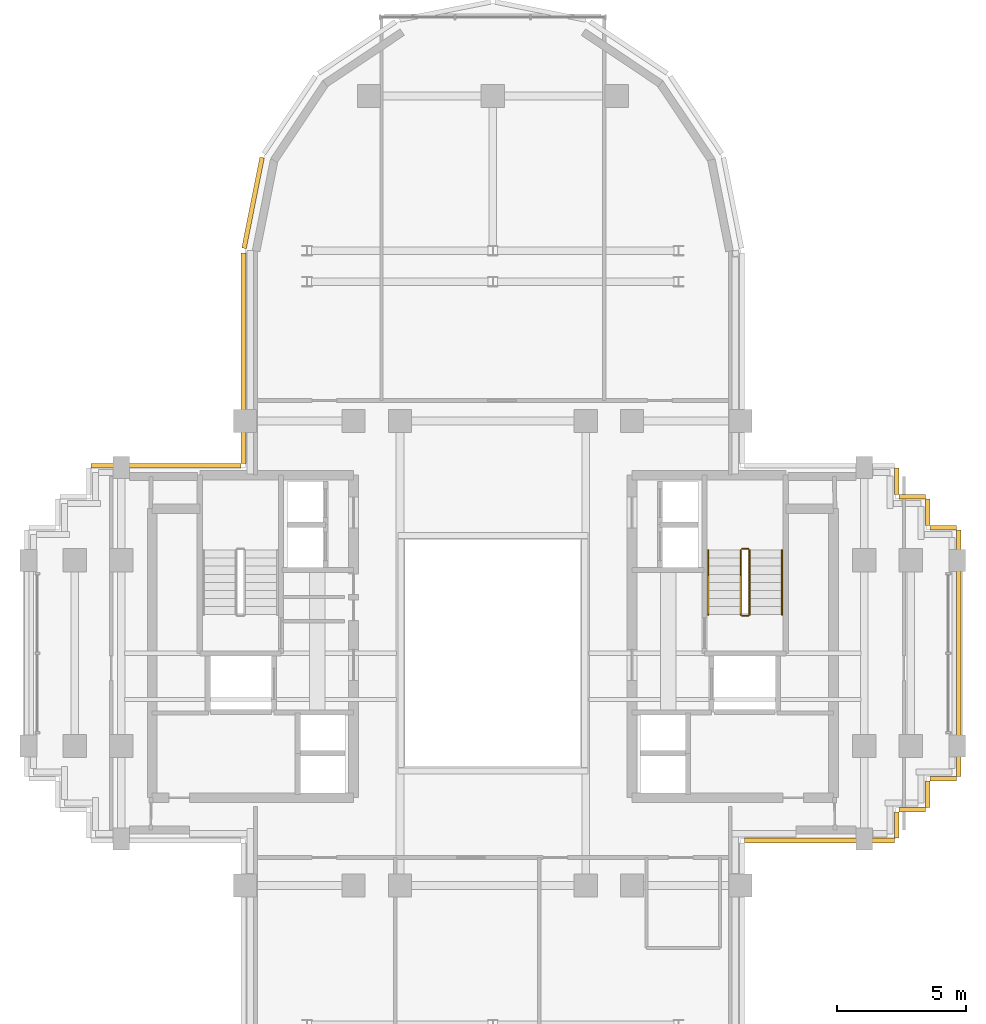
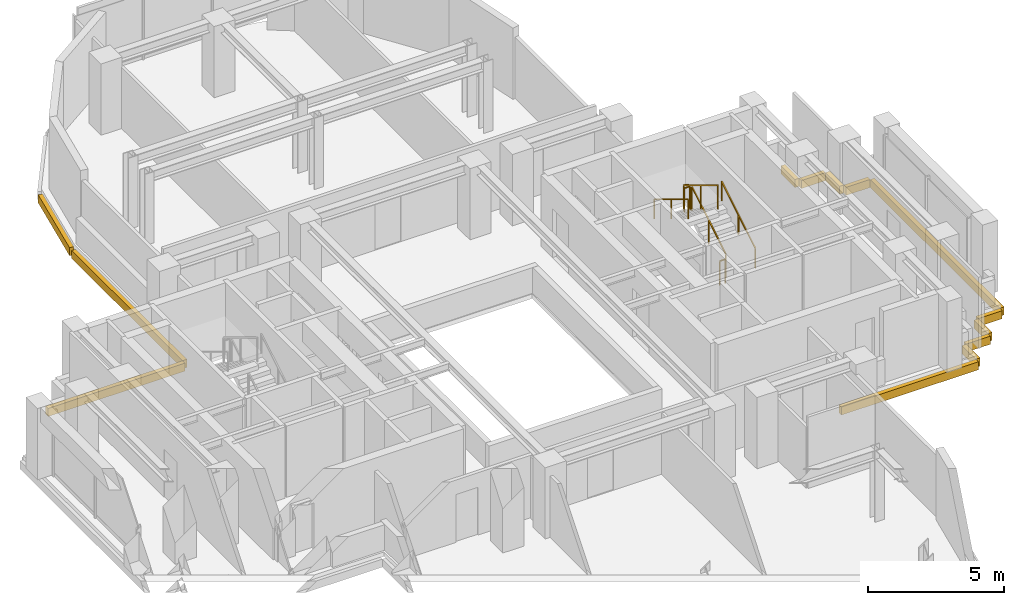
# One storey, part 10 of 11: 13 coverings, 6 railings.
"""IFC4 building model written with IfcOpenShell, lengths in metres."""

from ifc_helpers import new_model, si_unit, direction, frame, origin, origin_2d, place, context, subcontext, project, spatial, rectangle, extrude, source, transform, mapped, material, layer, layer_set, type_object, element, save


model = new_model("IFC4")

# Units and contexts
model_context = context("Model", 3, precision=1e-05, world=origin(), true_north=direction((0.0, 1.0)))
body_context = subcontext(model_context, "Body", "Model", "MODEL_VIEW")
ifc_project = project(units=[si_unit("LENGTHUNIT", "METRE"), si_unit("AREAUNIT", "SQUARE_METRE"), si_unit("VOLUMEUNIT", "CUBIC_METRE"), si_unit("PLANEANGLEUNIT", "RADIAN"), si_unit("MASSUNIT", "GRAM", prefix="KILO")], contexts=[model_context])

# Site, building, storey
site_placement = place(None, origin())
site = spatial("IfcSite", under=ifc_project, at=site_placement, CompositionType="ELEMENT")
building_placement = place(site_placement, origin())
building = spatial("IfcBuilding", under=site, at=building_placement, Name="Keilestroom Media Tower", CompositionType="ELEMENT")
storey_placement = place(building_placement, frame((0.0, 0.0, 180.800048828125)))
storey = spatial("IfcBuildingStorey", under=building, at=storey_placement, Name="L49", CompositionType="ELEMENT", Elevation=180.800048828125)

# Railings
ifc_material_1 = material(Name="Brushed Stainless Steel 1.4301", Category="steel")
railing_type_1 = type_object("IfcRailingType", Name="Stair-Pitch-Handrail-920", PredefinedType="HANDRAIL", material=ifc_material_1)
railing_1_placement = place(storey_placement, frame((11.2099609375, 1.5, 0.188720703125)))
element("IfcRailing", 1, at=railing_1_placement, inside=storey, type_object=railing_type_1, Name="L49 ST-2 stair handrail 1", PredefinedType="HANDRAIL", context=body_context, shape_type="SweptSolid", body=[
    extrude(rectangle(XDim=0.048095703125, YDim=0.048095703125, at=origin_2d()), frame((0.0, 0.0, 0.8759765625), z_axis=(0.0, 0.855433747314, 0.517912255074), x_axis=(-1.0, 0.0, 0.0)), (0.0, 0.0, 1.0), 2.91796875),
    extrude(rectangle(XDim=0.0419921875, YDim=0.0419921875, at=origin_2d()), origin(), (0.0, 0.0, 1.0), 0.84375),
    extrude(rectangle(XDim=0.0419921875, YDim=0.0419921875, at=origin_2d()), frame((0.0, 1.248046875, 0.755615234375)), (0.0, 0.0, 1.0), 0.84375),
    extrude(rectangle(XDim=0.0419921875, YDim=0.0419921875, at=origin_2d()), frame((0.0, 2.49609375, 1.51123046875)), (0.0, 0.0, 1.0), 0.84375),
])
railing_2_placement = place(storey_placement, frame((8.35009765625, 3.99609375, 1.888916015625)))
element("IfcRailing", 2, at=railing_2_placement, inside=storey, type_object=railing_type_1, Name="L49 ST-2 stair handrail 2", PredefinedType="HANDRAIL", context=body_context, shape_type="SweptSolid", body=[
    extrude(rectangle(XDim=0.048095703125, YDim=0.048095703125, at=origin_2d()), frame((0.0, 0.0, 0.8759765625), z_axis=(0.0, -0.855470815493, 0.517851024754), x_axis=(1.0, 0.0, 0.0)), (0.0, 0.0, 1.0), 2.917724609375),
    extrude(rectangle(XDim=0.0419921875, YDim=0.0419921875, at=origin_2d()), origin(), (0.0, 0.0, 1.0), 0.84375),
    extrude(rectangle(XDim=0.0419921875, YDim=0.0419921875, at=origin_2d()), frame((0.0, -1.248046875, 0.75537109375)), (0.0, 0.0, 1.0), 0.84375),
    extrude(rectangle(XDim=0.0419921875, YDim=0.0419921875, at=origin_2d()), frame((0.0, -2.49609375, 1.510986328125)), (0.0, 0.0, 1.0), 0.84375),
])
ifc_material_2 = material(Name="Painted Steel Balustrade", Category="steel")
railing_type_2 = type_object("IfcRailingType", Name="Stair-Well-And-Landing-Guard-1100", PredefinedType="GUARDRAIL", material=ifc_material_2)
railing_3_placement = place(storey_placement, frame((9.949951171875, 1.5, 0.188720703125)))
element("IfcRailing", 3, at=railing_3_placement, inside=storey, type_object=railing_type_2, Name="L49 ST-2 stair guard 1", PredefinedType="GUARDRAIL", context=body_context, shape_type="SweptSolid", body=[
    extrude(rectangle(XDim=0.048095703125, YDim=0.048095703125, at=origin_2d()), frame((0.0, 0.0, 1.076171875), z_axis=(0.0, 0.855433747314, 0.517912255074), x_axis=(-1.0, 0.0, 0.0)), (0.0, 0.0, 1.0), 2.91796875),
    extrude(rectangle(XDim=0.0419921875, YDim=0.0419921875, at=origin_2d()), origin(), (0.0, 0.0, 1.0), 1.0439453125),
    extrude(rectangle(XDim=0.0419921875, YDim=0.0419921875, at=origin_2d()), frame((0.0, 1.248046875, 0.755615234375)), (0.0, 0.0, 1.0), 1.0439453125),
    extrude(rectangle(XDim=0.0419921875, YDim=0.0419921875, at=origin_2d()), frame((0.0, 2.49609375, 1.51123046875)), (0.0, 0.0, 1.0), 1.0439453125),
])
railing_4_placement = place(storey_placement, frame((9.89990234375, 4.0458984375, 1.699951171875)))
element("IfcRailing", 4, at=railing_4_placement, inside=storey, type_object=railing_type_2, Name="L49 ST-2 stair guard 2", PredefinedType="GUARDRAIL", context=body_context, shape_type="SweptSolid", body=[
    extrude(rectangle(XDim=0.048095703125, YDim=0.048095703125, at=origin_2d()), frame((0.0, 0.0, 1.076171875), z_axis=(-1.0, 0.0, 0.0), x_axis=(0.0, -1.0, 0.0)), (0.0, 0.0, 1.0), 0.239990234375),
    extrude(rectangle(XDim=0.0419921875, YDim=0.0419921875, at=origin_2d()), origin(), (0.0, 0.0, 1.0), 1.0439453125),
    extrude(rectangle(XDim=0.0419921875, YDim=0.0419921875, at=origin_2d()), frame((-0.239990234375, 0.0, 0.0)), (0.0, 0.0, 1.0), 1.0439453125),
])
railing_5_placement = place(storey_placement, frame((9.610107421875, 3.99609375, 1.888916015625)))
element("IfcRailing", 5, at=railing_5_placement, inside=storey, type_object=railing_type_2, Name="L49 ST-2 stair guard 3", PredefinedType="GUARDRAIL", context=body_context, shape_type="SweptSolid", body=[
    extrude(rectangle(XDim=0.048095703125, YDim=0.048095703125, at=origin_2d()), frame((0.0, 0.0, 1.076171875), z_axis=(0.0, -0.855470815493, 0.517851024754), x_axis=(1.0, 0.0, 0.0)), (0.0, 0.0, 1.0), 2.917724609375),
    extrude(rectangle(XDim=0.0419921875, YDim=0.0419921875, at=origin_2d()), origin(), (0.0, 0.0, 1.0), 1.0439453125),
    extrude(rectangle(XDim=0.0419921875, YDim=0.0419921875, at=origin_2d()), frame((0.0, -1.248046875, 0.75537109375)), (0.0, 0.0, 1.0), 1.0439453125),
    extrude(rectangle(XDim=0.0419921875, YDim=0.0419921875, at=origin_2d()), frame((0.0, -2.49609375, 1.510986328125)), (0.0, 0.0, 1.0), 1.0439453125),
])
railing_6_placement = place(storey_placement, frame((9.89990234375, 1.449951171875, 0.0)))
element("IfcRailing", 6, at=railing_6_placement, inside=storey, type_object=railing_type_2, Name="L49 ST-2 stair guard 4", PredefinedType="GUARDRAIL", context=body_context, shape_type="SweptSolid", body=[
    extrude(rectangle(XDim=0.048095703125, YDim=0.048095703125, at=origin_2d()), frame((0.0, 0.0, 1.076171875), z_axis=(-1.0, 0.0, 0.0), x_axis=(0.0, -1.0, 0.0)), (0.0, 0.0, 1.0), 0.239990234375),
    extrude(rectangle(XDim=0.0419921875, YDim=0.0419921875, at=origin_2d()), origin(), (0.0, 0.0, 1.0), 1.0439453125),
    extrude(rectangle(XDim=0.0419921875, YDim=0.0419921875, at=origin_2d()), frame((-0.239990234375, 0.0, 0.0)), (0.0, 0.0, 1.0), 1.0439453125),
])

# Coverings
ifc_material_3 = material(Name="Precast concrete C40/50", Category="concrete")
ifc_layer = layer(ifc_material_3, 0.1201171875)
ifc_layer_set = layer_set([ifc_layer], Name="Precast concrete C40/50")
covering_type = type_object("IfcCoveringType", Name="Exterior-Precast-Spandrel-Cladding-Panel-120", PredefinedType="CLADDING", material=ifc_layer_set)
shared_shape_1 = source(origin(), body_context, "Body", "SweptSolid", [
    extrude(rectangle(XDim=1.02001953125, YDim=0.179931640625, at=origin_2d()), origin(), (0.0, 0.0, 1.0), 0.360107421875),
])
for number, where, z_axis, x_axis, name in (
    (7, (17.4599609375, -4.860107421875, -0.5400390625), (0.0, 0.0, 1.0), (-1.0, 0.0, 0.0), "L49 Precast Slab-Edge Fascia Cornice 01"),
    (8, (16.860107421875, -5.4599609375, -0.5400390625), (0.0, 0.0, 1.0), (0.0, -1.0, 0.0), "L49 Precast Slab-Edge Fascia Cornice 02"),
    (9, (16.260009765625, -6.06005859375, -0.5400390625), (0.0, 0.0, 1.0), (-1.0, 0.0, 0.0), "L49 Precast Slab-Edge Fascia Cornice 03"),
    (10, (15.659912109375, -6.659912109375, -0.5400390625), (0.0, 0.0, 1.0), (0.0, -1.0, 0.0), "L49 Precast Slab-Edge Fascia Cornice 04"),
    (11, (15.659912109375, 6.659912109375, -0.5400390625), (0.0, 0.0, 1.0), (0.0, -1.0, 0.0), "L49 Precast Slab-Edge Fascia Cornice 38"),
    (12, (16.260009765625, 6.06005859375, -0.5400390625), (0.0, 0.0, 1.0), (1.0, 0.0, 0.0), "L49 Precast Slab-Edge Fascia Cornice 39"),
    (13, (16.860107421875, 5.4599609375, -0.5400390625), (0.0, 0.0, 1.0), (0.0, -1.0, 0.0), "L49 Precast Slab-Edge Fascia Cornice 40"),
    (14, (17.4599609375, 4.860107421875, -0.5400390625), (0.0, 0.0, 1.0), (1.0, 0.0, 0.0), "L49 Precast Slab-Edge Fascia Cornice 41"),
):
    element("IfcCovering", number, at=place(storey_placement, frame(where, z_axis=z_axis, x_axis=x_axis)), inside=storey, type_object=covering_type, Name=name, PredefinedType="CLADDING", context=body_context, shape_type="MappedRepresentation", body=[
        mapped(shared_shape_1, transform((0.0, 0.0, 0.0), x_axis=(1.0, 0.0, 0.0), y_axis=(0.0, 1.0, 0.0), z_axis=(0.0, 0.0, 1.0), scale=1.0)),
    ])
shared_shape_2 = source(origin(), body_context, "Body", "SweptSolid", [
    extrude(rectangle(XDim=8.166015625, YDim=0.179931640625, at=origin_2d()), origin(), (0.0, 0.0, 1.0), 0.360107421875),
])
covering_1_placement = place(storey_placement, frame((-9.659912109375, 11.43310546875, -0.5400390625), z_axis=(0.0, 0.0, 1.0), x_axis=(0.0, 1.0, 0.0)))
element("IfcCovering", 15, at=covering_1_placement, inside=storey, type_object=covering_type, Name="L49 Precast Slab-Edge Fascia Cornice 27", PredefinedType="CLADDING", context=body_context, shape_type="MappedRepresentation", body=[
    mapped(shared_shape_2, transform((0.0, 0.0, 0.0), x_axis=(1.0, 0.0, 0.0), y_axis=(0.0, 1.0, 0.0), z_axis=(0.0, 0.0, 1.0), scale=1.0)),
])
shared_shape_3 = source(origin(), body_context, "Body", "SweptSolid", [
    extrude(rectangle(XDim=3.58349609375, YDim=0.179931640625, at=origin_2d()), origin(), (0.0, 0.0, 1.0), 0.360107421875),
])
covering_2_placement = place(storey_placement, frame((-9.29296875, 17.45166015625, -0.5400390625), z_axis=(0.0, 0.0, 1.0), x_axis=(0.195098880975, 0.980783577882, 0.0)))
element("IfcCovering", 16, at=covering_2_placement, inside=storey, type_object=covering_type, Name="L49 Precast Slab-Edge Fascia Cornice 28", PredefinedType="CLADDING", context=body_context, shape_type="MappedRepresentation", body=[
    mapped(shared_shape_3, transform((0.0, 0.0, 0.0), x_axis=(1.0, 0.0, 0.0), y_axis=(0.0, 1.0, 0.0), z_axis=(0.0, 0.0, 1.0), scale=1.0)),
])
shared_shape_4 = source(origin(), body_context, "Body", "SweptSolid", [
    extrude(rectangle(XDim=9.5400390625, YDim=0.179931640625, at=origin_2d()), origin(), (0.0, 0.0, 1.0), 0.360107421875),
])
covering_3_placement = place(storey_placement, frame((18.06005859375, 0.0, -0.5400390625), z_axis=(0.0, 0.0, 1.0), x_axis=(0.0, -1.0, 0.0)))
element("IfcCovering", 17, at=covering_3_placement, inside=storey, type_object=covering_type, Name="L49 Precast Slab-Edge Fascia Cornice 42", PredefinedType="CLADDING", context=body_context, shape_type="MappedRepresentation", body=[
    mapped(shared_shape_4, transform((0.0, 0.0, 0.0), x_axis=(1.0, 0.0, 0.0), y_axis=(0.0, 1.0, 0.0), z_axis=(0.0, 0.0, 1.0), scale=1.0)),
])
shared_shape_5 = source(origin(), body_context, "Body", "SweptSolid", [
    extrude(rectangle(XDim=5.820068359375, YDim=0.179931640625, at=origin_2d()), origin(), (0.0, 0.0, 1.0), 0.360107421875),
])
for number, where, z_axis, x_axis, name in (
    (18, (12.659912109375, -7.260009765625, -0.5400390625), (0.0, 0.0, 1.0), (-1.0, 0.0, 0.0), "L49 Precast Slab-Edge Fascia Cornice 05"),
    (19, (-12.659912109375, 7.260009765625, -0.5400390625), (0.0, 0.0, 1.0), (1.0, 0.0, 0.0), "L49 Precast Slab-Edge Fascia Cornice 26"),
):
    element("IfcCovering", number, at=place(storey_placement, frame(where, z_axis=z_axis, x_axis=x_axis)), inside=storey, type_object=covering_type, Name=name, PredefinedType="CLADDING", context=body_context, shape_type="MappedRepresentation", body=[
        mapped(shared_shape_5, transform((0.0, 0.0, 0.0), x_axis=(1.0, 0.0, 0.0), y_axis=(0.0, 1.0, 0.0), z_axis=(0.0, 0.0, 1.0), scale=1.0)),
    ])

save(model, "model.ifc")
